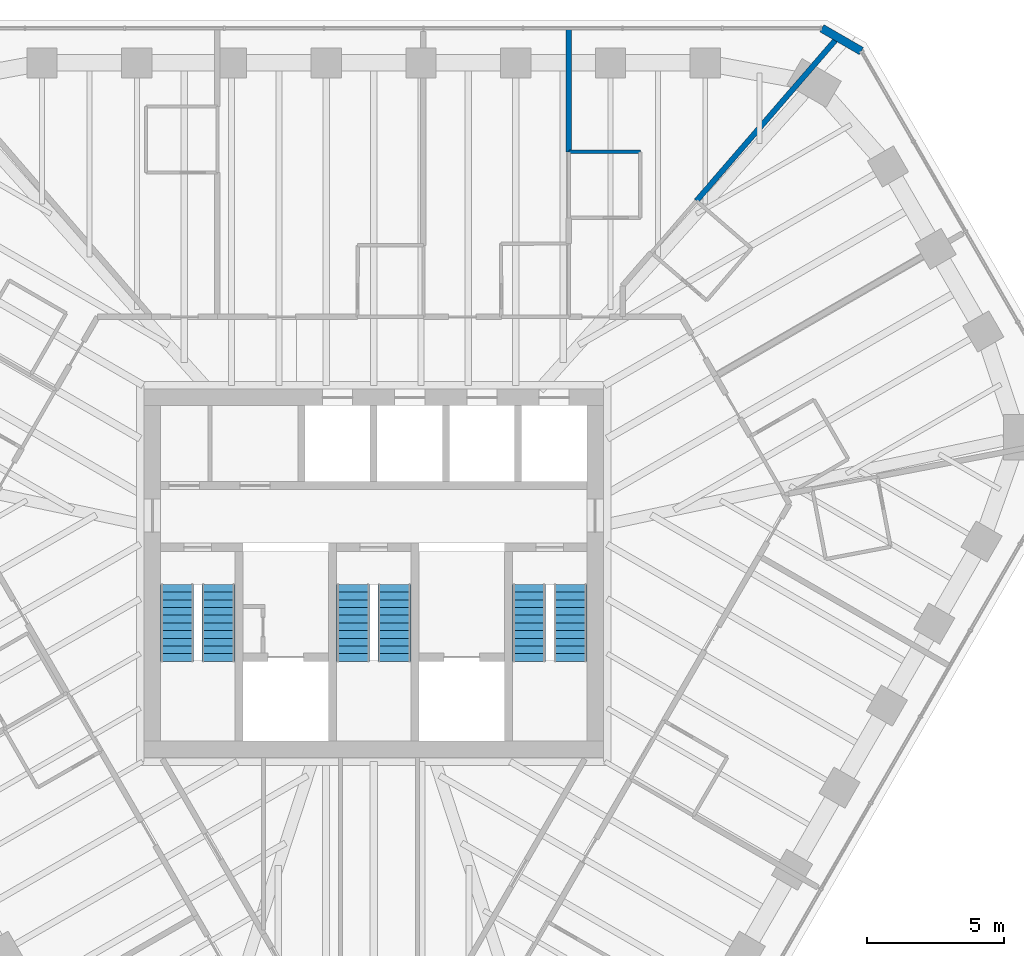
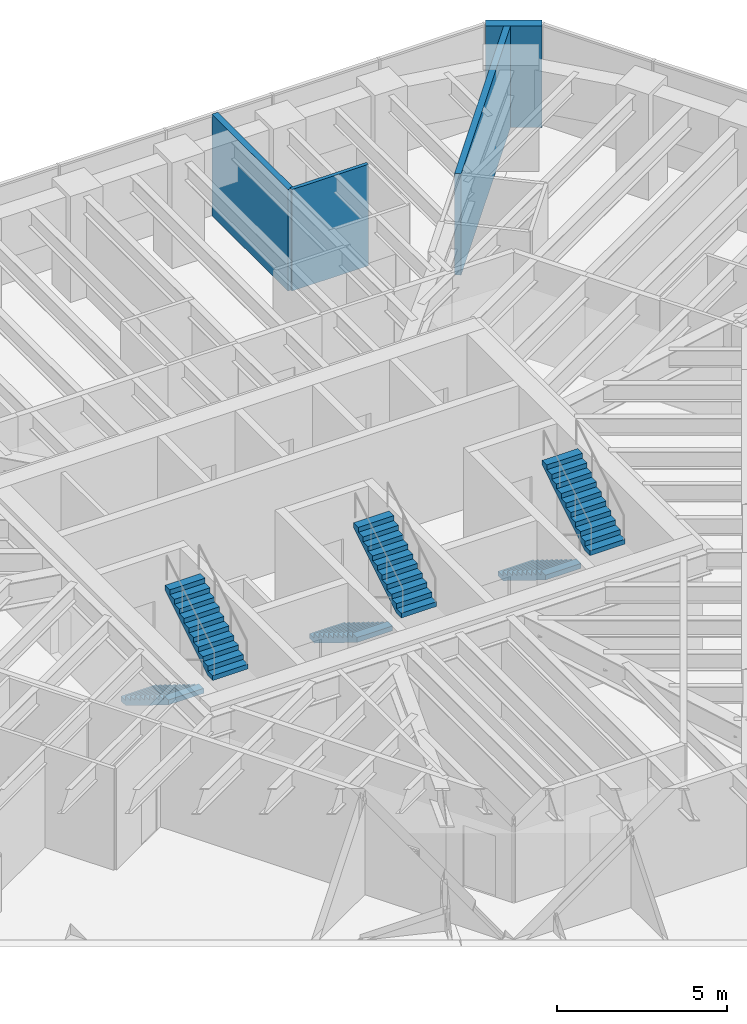
# One storey, part 13 of 14: 6 stair flights, 4 walls, 3 elements without a shape of their own.
"""IFC4 building model written with IfcOpenShell, lengths in metres."""

import ifcopenshell
import ifcopenshell.guid

model = None  # the IFC model being written
_history = None  # IfcOwnerHistory: only IFC2X3 demands one
_inside = {}  # id of a spatial element -> (the spatial element, [elements in it])
_under = {}  # id of a project, library or spatial element -> (it, [spatial elements below it])
_declared = {}  # id of a project -> (the project, [libraries it declares])
_typed = {}  # id of a type object -> (the type object, [elements of that type])
_made_of = {}  # id of a material, layer set ... -> (it, [elements and type objects made of it])


def new_model(schema):
    """Start an empty IFC model of exactly this schema.

    Asked for "IFC4X3", IfcOpenShell would pick the latest addendum, in which some entities
    have other attributes; the version numbers below select the first issue.
    IFC2X3 requires an IfcOwnerHistory on every rooted entity: one is made here for all.
    """
    global model, _history
    if schema == "IFC4X3":
        model = ifcopenshell.file(schema_version=(4, 3, 0, 0))
    else:
        model = ifcopenshell.file(schema=schema)
    _inside.clear()
    _under.clear()
    _declared.clear()
    _typed.clear()
    _made_of.clear()
    _history = None
    if model.schema == "IFC2X3":
        org = make("IfcOrganization", Name="unknown")
        user = make(
            "IfcPersonAndOrganization",
            ThePerson=make("IfcPerson", FamilyName="unknown"),
            TheOrganization=org,
        )
        app = make(
            "IfcApplication",
            ApplicationDeveloper=org,
            Version="unknown",
            ApplicationFullName="unknown",
            ApplicationIdentifier="unknown",
        )
        _history = make(
            "IfcOwnerHistory",
            OwningUser=user,
            OwningApplication=app,
            ChangeAction="ADDED",
            CreationDate=0,
        )
    return model


def make(cls, **values):
    """One entity of the class cls with the attributes given. An attribute that is None is left unset."""
    return model.create_entity(
        cls, **{name: value for name, value in values.items() if value is not None}
    )


def rooted(cls, **values):
    """An entity with a GlobalId (a new one), such as an element, a storey or a relation."""
    return make(cls, GlobalId=ifcopenshell.guid.new(), OwnerHistory=_history, **values)


def si_unit(unit_type, name, prefix=None):
    """IfcSIUnit, for example si_unit("LENGTHUNIT", "METRE", prefix="MILLI")."""
    return make("IfcSIUnit", UnitType=unit_type, Prefix=prefix, Name=name)


def assignment(units):
    """IfcUnitAssignment: the units of a project."""
    return None if units is None else make("IfcUnitAssignment", Units=units)


def point(xyz):
    """IfcCartesianPoint."""
    return None if xyz is None else make("IfcCartesianPoint", Coordinates=xyz)


def direction(xyz):
    """IfcDirection."""
    return None if xyz is None else make("IfcDirection", DirectionRatios=xyz)


def frame(location, z_axis=None, x_axis=None):
    """IfcAxis2Placement3D, a coordinate frame: its origin and axes. An axis left out is left unset."""
    return make(
        "IfcAxis2Placement3D",
        Location=point(location),
        Axis=direction(z_axis),
        RefDirection=direction(x_axis),
    )


def frame_2d(location, x_axis=None):
    """IfcAxis2Placement2D, a coordinate frame in the plane: its origin and x axis."""
    return make(
        "IfcAxis2Placement2D", Location=point(location), RefDirection=direction(x_axis)
    )


def origin():
    """The frame at (0, 0, 0) with its axes left unset."""
    return frame((0.0, 0.0, 0.0))


def place(relative_to, where):
    """IfcLocalPlacement: puts the frame where relative to a parent placement (None: the world)."""
    return make(
        "IfcLocalPlacement", PlacementRelTo=relative_to, RelativePlacement=where
    )


def context(
    kind, dimensions, precision=None, world=None, true_north=None, identifier=None
):
    """IfcGeometricRepresentationContext, for example the 3D "Model" context."""
    return make(
        "IfcGeometricRepresentationContext",
        ContextIdentifier=identifier,
        ContextType=kind,
        CoordinateSpaceDimension=dimensions,
        Precision=precision,
        WorldCoordinateSystem=world,
        TrueNorth=true_north,
    )


def subcontext(parent, identifier, kind, view, scale=None):
    """IfcGeometricRepresentationSubContext, for example "Body" below "Model"."""
    return make(
        "IfcGeometricRepresentationSubContext",
        ContextIdentifier=identifier,
        ContextType=kind,
        ParentContext=parent,
        TargetScale=scale,
        TargetView=view,
    )


def project(units=None, contexts=None):
    """IfcProject with its units and contexts."""
    return rooted(
        "IfcProject",
        Name="project",
        RepresentationContexts=contexts,
        UnitsInContext=assignment(units),
    )


def spatial(cls, under=None, at=None, **own):
    """A site, building, storey or space (cls), placed at a placement, below another one or the project."""
    s = rooted(cls, ObjectPlacement=at, **own)
    if under is not None:
        _under.setdefault(under.id(), (under, []))[1].append(s)
    return s


def polyline(points):
    """IfcPolyline through the points."""
    return make("IfcPolyline", Points=[point(p) for p in points])


def profile(cls, at=None, kind="AREA", **sizes):
    """A parametric profile (cls). Its sizes go by their IFC names, for example OverallWidth=200.0."""
    return make(cls, ProfileType=kind, Position=at, **sizes)


def rectangle(**sizes):
    """IfcRectangleProfileDef."""
    return profile("IfcRectangleProfileDef", **sizes)


def outline(outer, holes=None, kind="AREA"):
    """IfcArbitraryClosedProfileDef: a profile drawn as a closed curve; with holes, ...WithVoids."""
    if holes is None:
        return make("IfcArbitraryClosedProfileDef", ProfileType=kind, OuterCurve=outer)
    return make(
        "IfcArbitraryProfileDefWithVoids",
        ProfileType=kind,
        OuterCurve=outer,
        InnerCurves=holes,
    )


def extrude(swept, where, along, depth):
    """IfcExtrudedAreaSolid: the profile swept, set in the frame where, extruded along a direction by depth."""
    return make(
        "IfcExtrudedAreaSolid",
        SweptArea=swept,
        Position=where,
        ExtrudedDirection=direction(along),
        Depth=depth,
    )


def shape(context_of_items, identifier, shape_type, items):
    """IfcShapeRepresentation: the items that make up one representation, for example the "Body"."""
    return make(
        "IfcShapeRepresentation",
        ContextOfItems=context_of_items,
        RepresentationIdentifier=identifier,
        RepresentationType=shape_type,
        Items=items,
    )


def material(Name=None, Category=None):
    """IfcMaterial."""
    return make("IfcMaterial", Name=Name, Category=Category)


def layer(
    of_material, thickness, ventilated=None, Name=None, Category=None, Priority=None
):
    """IfcMaterialLayer: one layer of a wall or slab, of a material (None: an air gap)."""
    return make(
        "IfcMaterialLayer",
        Material=of_material,
        LayerThickness=thickness,
        IsVentilated=ventilated,
        Name=Name,
        Category=Category,
        Priority=Priority,
    )


def layer_set(layers, Name=None):
    """IfcMaterialLayerSet."""
    return make("IfcMaterialLayerSet", MaterialLayers=layers, LayerSetName=Name)


def made_of(thing, what):
    """Note that an element or type object is made of a material, layer set ...; save() writes the relation."""
    if what is not None:
        _made_of.setdefault(what.id(), (what, []))[1].append(thing)
    return thing


def type_object(cls, material=None, **own):
    """A type object (cls), such as IfcWallType, which elements share."""
    return made_of(rooted(cls, **own), material)


def element(
    cls,
    number,
    at=None,
    inside=None,
    cuts=None,
    type_object=None,
    material=None,
    context=None,
    identifier="Body",
    shape_type=None,
    held_by="IfcProductDefinitionShape",
    body=None,
    shapes=None,
    **own,
):
    """One element of the class cls, such as IfcWall. Its Tag is "e" and its number.

    at: its placement. inside: the storey or other place that contains it. cuts: it is an
    opening in that element (IfcRelVoidsElement). A single representation is given by context,
    identifier, shape_type and body (its items); several are given by shapes. held_by: the class
    of the entity that holds the representations. save() writes the other relations.
    """
    e = rooted(cls, Tag="e%d" % number, ObjectPlacement=at, **own)
    if body is not None:
        shapes = [shape(context, identifier, shape_type, body)]
    if shapes is not None:
        e.Representation = make(held_by, Representations=shapes)
    if inside is not None:
        _inside.setdefault(inside.id(), (inside, []))[1].append(e)
    if cuts is not None:
        rooted(
            "IfcRelVoidsElement", RelatingBuildingElement=cuts, RelatedOpeningElement=e
        )
    if type_object is not None:
        _typed.setdefault(type_object.id(), (type_object, []))[1].append(e)
    return made_of(e, material)


def aggregate(whole, parts):
    """IfcRelAggregates: a whole, such as a stair, and the parts it consists of."""
    return rooted("IfcRelAggregates", RelatingObject=whole, RelatedObjects=parts)


def save(model, path):
    """Write the relations noted so far, then the file.

    IfcRelAggregates (storeys below a building ...), IfcRelContainedInSpatialStructure (elements
    in a storey), IfcRelDefinesByType, IfcRelAssociatesMaterial and IfcRelDeclares: one each for
    every whole, place, type object, material and project.
    """
    for whole, parts in _under.values():
        aggregate(whole, parts)
    for where, things in _inside.values():
        rooted(
            "IfcRelContainedInSpatialStructure",
            RelatedElements=things,
            RelatingStructure=where,
        )
    for kind, things in _typed.values():
        rooted("IfcRelDefinesByType", RelatedObjects=things, RelatingType=kind)
    for what, things in _made_of.values():
        rooted("IfcRelAssociatesMaterial", RelatedObjects=things, RelatingMaterial=what)
    for by, libraries in _declared.values():
        rooted("IfcRelDeclares", RelatingContext=by, RelatedDefinitions=libraries)
    model.write(path)


model = new_model("IFC4")

# Units and contexts
model_context = context("Model", 3, precision=1e-05, world=origin(), true_north=direction((0.0, 1.0)))
body_context = subcontext(model_context, "Body", "Model", "MODEL_VIEW")
ifc_project = project(units=[si_unit("LENGTHUNIT", "METRE"), si_unit("AREAUNIT", "SQUARE_METRE"), si_unit("VOLUMEUNIT", "CUBIC_METRE"), si_unit("PLANEANGLEUNIT", "RADIAN"), si_unit("MASSUNIT", "GRAM", prefix="KILO")], contexts=[model_context])

# Site, building, storey
site_placement = place(None, origin())
site = spatial("IfcSite", under=ifc_project, at=site_placement, CompositionType="ELEMENT")
building_placement = place(site_placement, origin())
building = spatial("IfcBuilding", under=site, at=building_placement, Name="Sandreach Pilgrim Tower", CompositionType="ELEMENT")
storey_placement = place(building_placement, frame((0.0, 0.0, 272.199951171875)))
storey = spatial("IfcBuildingStorey", under=building, at=storey_placement, Name="L68", CompositionType="ELEMENT", Elevation=272.199951171875)

# Walls
ifc_material_1 = material(Name="Moisture-resistant gypsum board on steel studs", Category="steel")
ifc_layer_1 = layer(ifc_material_1, 0.1201171875)
ifc_layer_set_1 = layer_set([ifc_layer_1], Name="Bathroom partition 120")
wall_type_1 = type_object("IfcWallType", Name="Bathroom partition 120", PredefinedType="PARTITIONING", material=ifc_layer_set_1)
wall_1_placement = place(storey_placement, frame((9.699951171875, 15.330078125, 0.0), z_axis=(0.0, 0.0, 1.0), x_axis=(-1.0, 0.0, 0.0)))
element("IfcWall", 1, at=wall_1_placement, inside=storey, type_object=wall_type_1, Name="Bathroom partition L68-095", PredefinedType="PARTITIONING", context=body_context, shape_type="SweptSolid", body=[
    extrude(rectangle(XDim=2.599853515625, YDim=0.1201171875, at=frame_2d((1.2998046875, 0.0))), origin(), (0.0, 0.0, 1.0), 3.64013671875),
])
ifc_material_2 = material(Name="Double steel stud acoustic wall, gypsum board", Category="steel")
ifc_layer_2 = layer(ifc_material_2, 0.199951171875)
ifc_layer_set_2 = layer_set([ifc_layer_2], Name="Party wall 200")
wall_type_2 = type_object("IfcWallType", Name="Party wall 200", PredefinedType="PARTITIONING", material=ifc_layer_set_2)
wall_2_placement = place(storey_placement, frame((7.10009765625, 19.800048828125, 0.0), z_axis=(0.0, 0.0, 1.0), x_axis=(0.0, -1.0, 0.0)))
element("IfcWall", 2, at=wall_2_placement, inside=storey, type_object=wall_type_2, Name="Party wall L68-086", PredefinedType="PARTITIONING", context=body_context, shape_type="SweptSolid", body=[
    extrude(rectangle(XDim=4.469970703125, YDim=0.199951171875, at=frame_2d((2.23486328125, 0.0))), origin(), (0.0, 0.0, 1.0), 3.64013671875),
])
wall_3_placement = place(storey_placement, frame((11.739990234375, 13.550048828125, 0.0), z_axis=(0.0, 0.0, 1.0), x_axis=(0.654017705967, 0.756479239822, 0.0)))
element("IfcWall", 3, at=wall_3_placement, inside=storey, type_object=wall_type_2, Name="Party wall L68-102", PredefinedType="PARTITIONING", context=body_context, shape_type="SweptSolid", body=[
    extrude(rectangle(XDim=7.875, YDim=0.199951171875, at=frame_2d((3.9375, 0.0))), origin(), (0.0, 0.0, 1.0), 3.64013671875),
])
ifc_material_3 = material(Name="Terracotta rainscreen on concrete", Category="masonry")
ifc_layer_3 = layer(ifc_material_3, 0.300048828125)
ifc_layer_set_3 = layer_set([ifc_layer_3], Name="Terracotta chamfer pier")
wall_type_3 = type_object("IfcWallType", Name="Terracotta chamfer pier", PredefinedType="SOLIDWALL", material=ifc_layer_set_3)
wall_4_placement = place(storey_placement, frame((16.29833984375, 19.826416015625, 0.0), z_axis=(0.0, 0.0, 1.0), x_axis=(0.866026405774, -0.499998264499, 0.0)))
element("IfcWall", 4, at=wall_4_placement, inside=storey, type_object=wall_type_3, Name="Chamfer pier L68 N", PredefinedType="SOLIDWALL", context=body_context, shape_type="SweptSolid", body=[
    extrude(rectangle(XDim=1.66015625, YDim=0.300048828125, at=frame_2d((0.830078125, 0.0))), origin(), (0.0, 0.0, 1.0), 3.64013671875),
])

# Stair, stair flights
ifc_material_4 = material(Name="Concrete 8000 psi", Category="concrete")
stair_type = type_object("IfcStairType", Name="Core exit stair", PredefinedType="HALF_TURN_STAIR", material=ifc_material_4)
stair_1_placement = place(storey_placement, origin())
stair_1 = element("IfcStair", 5, at=stair_1_placement, inside=storey, type_object=stair_type, Name="Exit stair ST1 L68", PredefinedType="HALF_TURN_STAIR")
ifc_material_5 = material(Name="Concrete 8000 psi", Category="concrete")
stair_flight_type = type_object("IfcStairFlightType", Name="Core stair flight 1200", PredefinedType="STRAIGHT", material=ifc_material_5)
stair_flight_1_placement = place(storey_placement, frame((-7.14990234375, -0.39990234375, 0.0), z_axis=(0.0, 0.0, 1.0), x_axis=(0.0, -1.0, 0.0)))
stair_flight_1 = element("IfcStairFlight", 6, at=stair_flight_1_placement, type_object=stair_flight_type, Name="ST1 flight 1", NumberOfRisers=11, NumberOfTreads=10, PredefinedType="STRAIGHT", RiserHeight=0.172727273, TreadLength=0.28, context=body_context, shape_type="SweptSolid", body=[
    extrude(outline(polyline([(0.0, 0.0), (0.0, 0.172607421875), (0.280029296875, 0.172607421875), (0.280029296875, 0.345458984375), (0.56005859375, 0.345458984375), (0.56005859375, 0.51806640625), (0.840087890625, 0.51806640625), (0.840087890625, 0.69091796875), (1.1201171875, 0.69091796875), (1.1201171875, 0.863525390625), (1.39990234375, 0.863525390625), (1.39990234375, 1.036376953125), (1.679931640625, 1.036376953125), (1.679931640625, 1.208984375), (1.9599609375, 1.208984375), (1.9599609375, 1.3818359375), (2.239990234375, 1.3818359375), (2.239990234375, 1.554443359375), (2.52001953125, 1.554443359375), (2.52001953125, 1.727294921875), (2.800048828125, 1.727294921875), (2.800048828125, 1.89990234375), (2.800048828125, 1.551025390625), (0.285400390625, 0.0), (0.0, 0.0)])), frame((0.0, 0.60009765625, 0.0), z_axis=(0.0, -1.0, 0.0), x_axis=(1.0, 0.0, 0.0)), (0.0, 0.0, 1.0), 1.199951171875),
])
stair_flight_2_placement = place(storey_placement, frame((-5.64990234375, -3.199951171875, 1.900146484375), z_axis=(0.0, 0.0, 1.0), x_axis=(0.0, 1.0, 0.0)))
stair_flight_2 = element("IfcStairFlight", 7, at=stair_flight_2_placement, type_object=stair_flight_type, Name="ST1 flight 2", NumberOfRisers=11, NumberOfTreads=10, PredefinedType="STRAIGHT", RiserHeight=0.172727273, TreadLength=0.28, context=body_context, shape_type="SweptSolid", body=[
    extrude(outline(polyline([(0.0, 0.0), (0.0, 0.172607421875), (0.280029296875, 0.172607421875), (0.280029296875, 0.345458984375), (0.56005859375, 0.345458984375), (0.56005859375, 0.51806640625), (0.840087890625, 0.51806640625), (0.840087890625, 0.69091796875), (1.1201171875, 0.69091796875), (1.1201171875, 0.863525390625), (1.39990234375, 0.863525390625), (1.39990234375, 1.036376953125), (1.679931640625, 1.036376953125), (1.679931640625, 1.208984375), (1.9599609375, 1.208984375), (1.9599609375, 1.3818359375), (2.239990234375, 1.3818359375), (2.239990234375, 1.554443359375), (2.52001953125, 1.554443359375), (2.52001953125, 1.727294921875), (2.800048828125, 1.727294921875), (2.800048828125, 1.89990234375), (2.800048828125, 1.551025390625), (0.285400390625, 0.0), (0.0, 0.0)])), frame((0.0, 0.60009765625, 0.0), z_axis=(0.0, -1.0, 0.0), x_axis=(1.0, 0.0, 0.0)), (0.0, 0.0, 1.0), 1.199951171875),
])
aggregate(stair_1, [stair_flight_1, stair_flight_2])

stair_2_placement = place(storey_placement, origin())
stair_2 = element("IfcStair", 8, at=stair_2_placement, inside=storey, type_object=stair_type, Name="Exit stair ST3 L68", PredefinedType="HALF_TURN_STAIR")
stair_flight_3_placement = place(storey_placement, frame((-0.75, -0.39990234375, 0.0), z_axis=(0.0, 0.0, 1.0), x_axis=(0.0, -1.0, 0.0)))
stair_flight_3 = element("IfcStairFlight", 9, at=stair_flight_3_placement, type_object=stair_flight_type, Name="ST3 flight 1", NumberOfRisers=11, NumberOfTreads=10, PredefinedType="STRAIGHT", RiserHeight=0.172727273, TreadLength=0.28, context=body_context, shape_type="SweptSolid", body=[
    extrude(outline(polyline([(0.0, 0.0), (0.0, 0.172607421875), (0.280029296875, 0.172607421875), (0.280029296875, 0.345458984375), (0.56005859375, 0.345458984375), (0.56005859375, 0.51806640625), (0.840087890625, 0.51806640625), (0.840087890625, 0.69091796875), (1.1201171875, 0.69091796875), (1.1201171875, 0.863525390625), (1.39990234375, 0.863525390625), (1.39990234375, 1.036376953125), (1.679931640625, 1.036376953125), (1.679931640625, 1.208984375), (1.9599609375, 1.208984375), (1.9599609375, 1.3818359375), (2.239990234375, 1.3818359375), (2.239990234375, 1.554443359375), (2.52001953125, 1.554443359375), (2.52001953125, 1.727294921875), (2.800048828125, 1.727294921875), (2.800048828125, 1.89990234375), (2.800048828125, 1.551025390625), (0.285400390625, 0.0), (0.0, 0.0)])), frame((0.0, 0.60009765625, 0.0), z_axis=(0.0, -1.0, 0.0), x_axis=(1.0, 0.0, 0.0)), (0.0, 0.0, 1.0), 1.199951171875),
])
stair_flight_4_placement = place(storey_placement, frame((0.75, -3.199951171875, 1.900146484375), z_axis=(0.0, 0.0, 1.0), x_axis=(0.0, 1.0, 0.0)))
stair_flight_4 = element("IfcStairFlight", 10, at=stair_flight_4_placement, type_object=stair_flight_type, Name="ST3 flight 2", NumberOfRisers=11, NumberOfTreads=10, PredefinedType="STRAIGHT", RiserHeight=0.172727273, TreadLength=0.28, context=body_context, shape_type="SweptSolid", body=[
    extrude(outline(polyline([(0.0, 0.0), (0.0, 0.172607421875), (0.280029296875, 0.172607421875), (0.280029296875, 0.345458984375), (0.56005859375, 0.345458984375), (0.56005859375, 0.51806640625), (0.840087890625, 0.51806640625), (0.840087890625, 0.69091796875), (1.1201171875, 0.69091796875), (1.1201171875, 0.863525390625), (1.39990234375, 0.863525390625), (1.39990234375, 1.036376953125), (1.679931640625, 1.036376953125), (1.679931640625, 1.208984375), (1.9599609375, 1.208984375), (1.9599609375, 1.3818359375), (2.239990234375, 1.3818359375), (2.239990234375, 1.554443359375), (2.52001953125, 1.554443359375), (2.52001953125, 1.727294921875), (2.800048828125, 1.727294921875), (2.800048828125, 1.89990234375), (2.800048828125, 1.551025390625), (0.285400390625, 0.0), (0.0, 0.0)])), frame((0.0, 0.60009765625, 0.0), z_axis=(0.0, -1.0, 0.0), x_axis=(1.0, 0.0, 0.0)), (0.0, 0.0, 1.0), 1.199951171875),
])
aggregate(stair_2, [stair_flight_3, stair_flight_4])

stair_3_placement = place(storey_placement, origin())
stair_3 = element("IfcStair", 11, at=stair_3_placement, inside=storey, type_object=stair_type, Name="Exit stair ST2 L68", PredefinedType="HALF_TURN_STAIR")
stair_flight_5_placement = place(storey_placement, frame((5.64990234375, -0.39990234375, 0.0), z_axis=(0.0, 0.0, 1.0), x_axis=(0.0, -1.0, 0.0)))
stair_flight_5 = element("IfcStairFlight", 12, at=stair_flight_5_placement, type_object=stair_flight_type, Name="ST2 flight 1", NumberOfRisers=11, NumberOfTreads=10, PredefinedType="STRAIGHT", RiserHeight=0.172727273, TreadLength=0.28, context=body_context, shape_type="SweptSolid", body=[
    extrude(outline(polyline([(0.0, 0.0), (0.0, 0.172607421875), (0.280029296875, 0.172607421875), (0.280029296875, 0.345458984375), (0.56005859375, 0.345458984375), (0.56005859375, 0.51806640625), (0.840087890625, 0.51806640625), (0.840087890625, 0.69091796875), (1.1201171875, 0.69091796875), (1.1201171875, 0.863525390625), (1.39990234375, 0.863525390625), (1.39990234375, 1.036376953125), (1.679931640625, 1.036376953125), (1.679931640625, 1.208984375), (1.9599609375, 1.208984375), (1.9599609375, 1.3818359375), (2.239990234375, 1.3818359375), (2.239990234375, 1.554443359375), (2.52001953125, 1.554443359375), (2.52001953125, 1.727294921875), (2.800048828125, 1.727294921875), (2.800048828125, 1.89990234375), (2.800048828125, 1.551025390625), (0.285400390625, 0.0), (0.0, 0.0)])), frame((0.0, 0.60009765625, 0.0), z_axis=(0.0, -1.0, 0.0), x_axis=(1.0, 0.0, 0.0)), (0.0, 0.0, 1.0), 1.199951171875),
])
stair_flight_6_placement = place(storey_placement, frame((7.14990234375, -3.199951171875, 1.900146484375), z_axis=(0.0, 0.0, 1.0), x_axis=(0.0, 1.0, 0.0)))
stair_flight_6 = element("IfcStairFlight", 13, at=stair_flight_6_placement, type_object=stair_flight_type, Name="ST2 flight 2", NumberOfRisers=11, NumberOfTreads=10, PredefinedType="STRAIGHT", RiserHeight=0.172727273, TreadLength=0.28, context=body_context, shape_type="SweptSolid", body=[
    extrude(outline(polyline([(0.0, 0.0), (0.0, 0.172607421875), (0.280029296875, 0.172607421875), (0.280029296875, 0.345458984375), (0.56005859375, 0.345458984375), (0.56005859375, 0.51806640625), (0.840087890625, 0.51806640625), (0.840087890625, 0.69091796875), (1.1201171875, 0.69091796875), (1.1201171875, 0.863525390625), (1.39990234375, 0.863525390625), (1.39990234375, 1.036376953125), (1.679931640625, 1.036376953125), (1.679931640625, 1.208984375), (1.9599609375, 1.208984375), (1.9599609375, 1.3818359375), (2.239990234375, 1.3818359375), (2.239990234375, 1.554443359375), (2.52001953125, 1.554443359375), (2.52001953125, 1.727294921875), (2.800048828125, 1.727294921875), (2.800048828125, 1.89990234375), (2.800048828125, 1.551025390625), (0.285400390625, 0.0), (0.0, 0.0)])), frame((0.0, 0.60009765625, 0.0), z_axis=(0.0, -1.0, 0.0), x_axis=(1.0, 0.0, 0.0)), (0.0, 0.0, 1.0), 1.199951171875),
])
aggregate(stair_3, [stair_flight_5, stair_flight_6])

save(model, "model.ifc")
